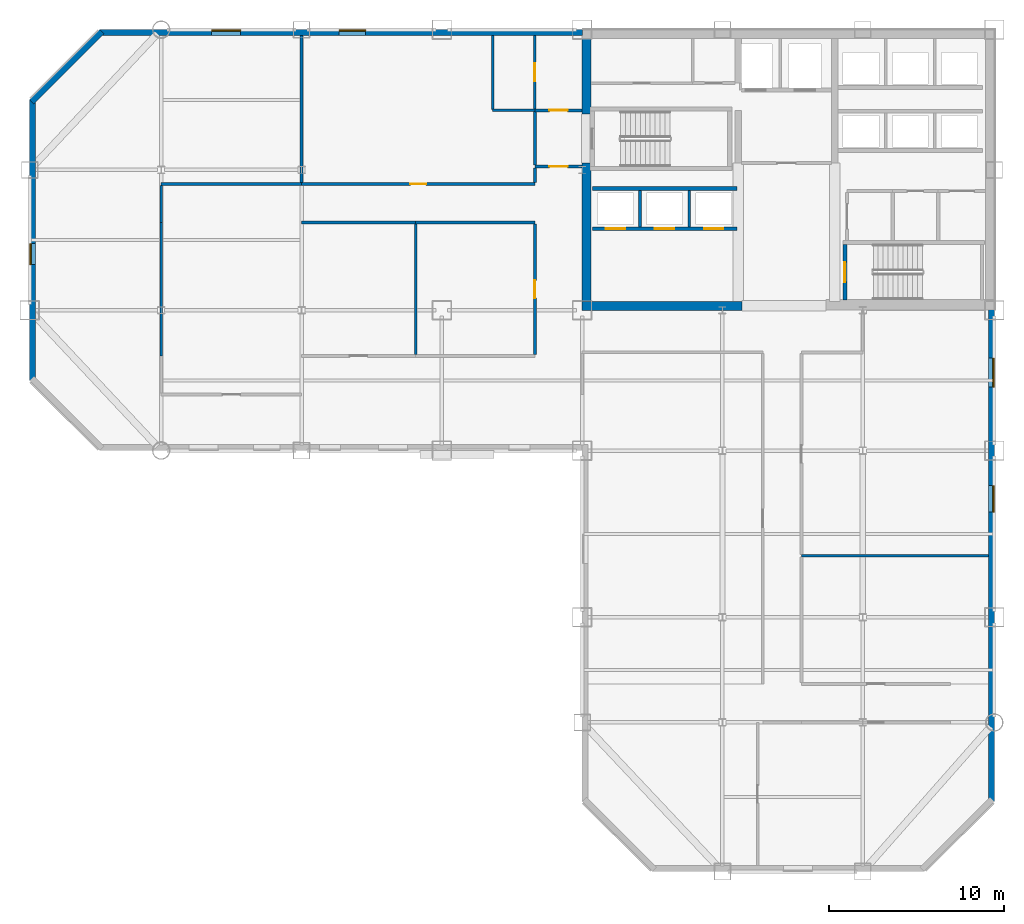
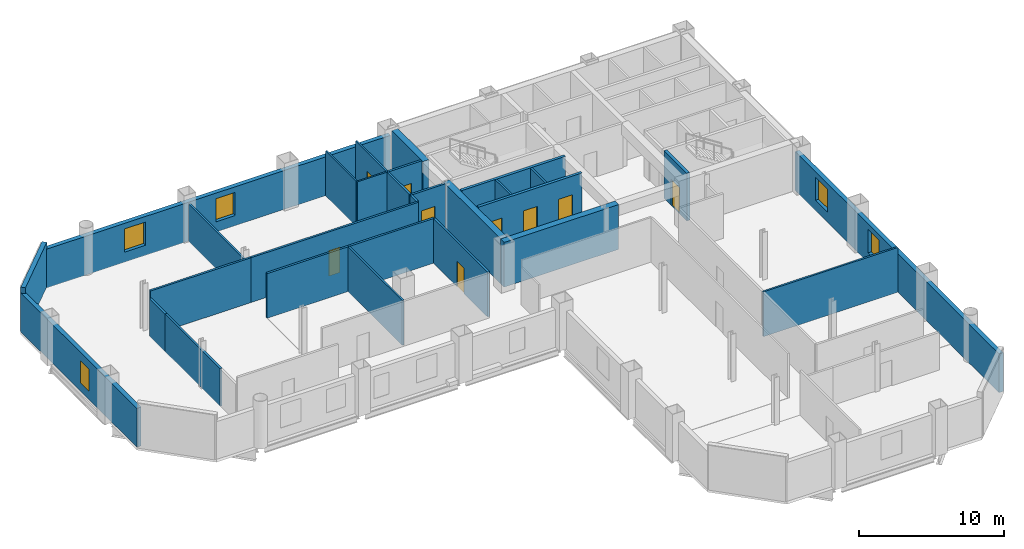
# One storey, part 6 of 9: 29 walls, 9 doors, 5 windows, 14 openings.
"""IFC4 building model written with IfcOpenShell, lengths in metres."""

from ifc_helpers import new_model, si_unit, direction, frame, frame_2d, origin, place, context, subcontext, project, spatial, rectangle, extrude, material, layer, layer_set, type_object, element, fill, save


model = new_model("IFC4")

# Units and contexts
model_context = context("Model", 3, precision=1e-05, world=origin(), true_north=direction((0.0, 1.0)))
body_context = subcontext(model_context, "Body", "Model", "MODEL_VIEW")
ifc_project = project(units=[si_unit("LENGTHUNIT", "METRE"), si_unit("AREAUNIT", "SQUARE_METRE"), si_unit("VOLUMEUNIT", "CUBIC_METRE"), si_unit("PLANEANGLEUNIT", "RADIAN"), si_unit("MASSUNIT", "GRAM", prefix="KILO")], contexts=[model_context])

# Site, building, storey
site_placement = place(None, origin())
site = spatial("IfcSite", under=ifc_project, at=site_placement, CompositionType="ELEMENT")
building_placement = place(site_placement, origin())
building = spatial("IfcBuilding", under=site, at=building_placement, Name="Qianrong Seaharbour Tower", CompositionType="ELEMENT")
storey_placement = place(building_placement, frame((0.0, 0.0, 143.0)))
storey = spatial("IfcBuildingStorey", under=building, at=storey_placement, Name="L34", CompositionType="ELEMENT", Elevation=143.0)

# Walls
ifc_material_1 = material(Name="Concrete C60/75", Category="concrete")
ifc_layer_1 = layer(ifc_material_1, 0.5)
ifc_layer_set_1 = layer_set([ifc_layer_1], Name="Concrete C60/75")
wall_type_1 = type_object("IfcWallType", Name="WALL-CORE-500", PredefinedType="SHEAR", material=ifc_layer_set_1)
wall_1_placement = place(storey_placement, frame((40.75, 36.5, 0.0), z_axis=(0.0, 0.0, 1.0), x_axis=(0.0, 1.0, 0.0)))
element("IfcWall", 1, at=wall_1_placement, inside=storey, type_object=wall_type_1, Name="L34 West Core Shear Wall South", PredefinedType="SHEAR", context=body_context, shape_type="SweptSolid", body=[
    extrude(rectangle(XDim=7.89990234375, YDim=0.5, at=frame_2d((3.949951171875, 0.0))), origin(), (0.0, 0.0, 1.0), 3.764892578125),
])
wall_2_placement = place(storey_placement, frame((40.75, 47.199951171875, 0.0), z_axis=(0.0, 0.0, 1.0), x_axis=(0.0, 1.0, 0.0)))
element("IfcWall", 2, at=wall_2_placement, inside=storey, type_object=wall_type_1, Name="L34 West Core Shear Wall North", PredefinedType="SHEAR", context=body_context, shape_type="SweptSolid", body=[
    extrude(rectangle(XDim=4.300048828125, YDim=0.5, at=frame_2d((2.14990234375, 0.0))), origin(), (0.0, 0.0, 1.0), 3.764892578125),
])
wall_3_placement = place(storey_placement, frame((40.5, 36.25, 0.0), z_axis=(0.0, 0.0, 1.0), x_axis=(1.0, 0.0, 0.0)))
element("IfcWall", 3, at=wall_3_placement, inside=storey, type_object=wall_type_1, Name="L34 South Core Shear Wall S1", PredefinedType="SHEAR", context=body_context, shape_type="SweptSolid", body=[
    extrude(rectangle(XDim=9.10009765625, YDim=0.5, at=frame_2d((4.550048828125, 0.0))), origin(), (0.0, 0.0, 1.0), 3.764892578125),
])

# Wall, opening, door
ifc_material_2 = material(Name="Fire-rated acoustic gypsum board partition")
ifc_layer_2 = layer(ifc_material_2, 0.1650390625)
ifc_layer_set_2 = layer_set([ifc_layer_2], Name="Fire-rated acoustic gypsum board partition")
wall_type_2 = type_object("IfcWallType", Name="WALL-CORR-PART-165", PredefinedType="PARTITIONING", material=ifc_layer_set_2)
wall_4_placement = place(storey_placement, frame((37.800048828125, 47.39990234375, 0.0), z_axis=(0.0, 0.0, 1.0), x_axis=(1.0, 0.0, 0.0)))
wall_4 = element("IfcWall", 4, at=wall_4_placement, inside=storey, type_object=wall_type_2, Name="L34 Interior Partition Wall 001", PredefinedType="PARTITIONING", context=body_context, shape_type="SweptSolid", body=[
    extrude(rectangle(XDim=2.699951171875, YDim=0.1650390625, at=frame_2d((1.35009765625, 0.0))), origin(), (0.0, 0.0, 1.0), 3.764892578125),
])
opening_1_placement = place(wall_4_placement, frame((0.824951171875, 0.0, 0.0)))
opening_1 = element("IfcOpeningElement", 5, at=opening_1_placement, cuts=wall_4, Name="Opening DC-01", PredefinedType="OPENING", context=body_context, shape_type="SweptSolid", body=[
    extrude(rectangle(XDim=1.050048828125, YDim=2.14990234375, at=frame_2d((0.52490234375, 1.074951171875))), frame((0.0, 0.092529296875, 0.0), z_axis=(0.0, -1.0, 0.0), x_axis=(1.0, 0.0, 0.0)), (0.0, 0.0, 1.0), 0.18505859375),
])
ifc_material_3 = material(Name="Acoustic timber and galvanized steel fire door assembly", Category="steel")
door_type_1 = type_object("IfcDoorType", Name="DOOR-CORR-FD60-1050x2150", OperationType="NOTDEFINED", PredefinedType="DOOR", material=ifc_material_3)
door_1_placement = place(opening_1_placement, origin())
door_1 = element("IfcDoor", 6, at=door_1_placement, inside=storey, type_object=door_type_1, Name="L34 Smokeproof Stair Vestibule ST-1 Door", OperationType="SINGLE_SWING_LEFT", OverallHeight=2.14990234375, OverallWidth=1.050048828125, PredefinedType="DOOR", context=body_context, shape_type="SweptSolid", body=[
    extrude(rectangle(XDim=1.050048828125, YDim=2.14990234375, at=frame_2d((0.52490234375, 1.074951171875))), frame((0.0, 0.02490234375, 0.0), z_axis=(0.0, -1.0, 0.0), x_axis=(1.0, 0.0, 0.0)), (0.0, 0.0, 1.0), 0.050048828125),
])
fill(opening_1, door_1)

wall_5_placement = place(storey_placement, frame((40.5, 44.199951171875, 0.0), z_axis=(0.0, 0.0, 1.0), x_axis=(-1.0, 0.0, 0.0)))
wall_5 = element("IfcWall", 7, at=wall_5_placement, inside=storey, type_object=wall_type_2, Name="L34 Interior Partition Wall 002", PredefinedType="PARTITIONING", context=body_context, shape_type="SweptSolid", body=[
    extrude(rectangle(XDim=2.699951171875, YDim=0.1650390625, at=frame_2d((1.35009765625, 0.0))), origin(), (0.0, 0.0, 1.0), 3.764892578125),
])
opening_2_placement = place(wall_5_placement, frame((0.824951171875, 0.0, 0.0)))
opening_2 = element("IfcOpeningElement", 8, at=opening_2_placement, cuts=wall_5, Name="Opening DC-01", PredefinedType="OPENING", context=body_context, shape_type="SweptSolid", body=[
    extrude(rectangle(XDim=1.050048828125, YDim=2.14990234375, at=frame_2d((0.52490234375, 1.074951171875))), frame((0.0, 0.092529296875, 0.0), z_axis=(0.0, -1.0, 0.0), x_axis=(1.0, 0.0, 0.0)), (0.0, 0.0, 1.0), 0.18505859375),
])
door_2_placement = place(opening_2_placement, origin())
door_2 = element("IfcDoor", 9, at=door_2_placement, inside=storey, type_object=door_type_1, Name="L34 Smokeproof Stair Vestibule ST-1 Door", OperationType="SINGLE_SWING_RIGHT", OverallHeight=2.14990234375, OverallWidth=1.050048828125, PredefinedType="DOOR", context=body_context, shape_type="SweptSolid", body=[
    extrude(rectangle(XDim=1.050048828125, YDim=2.14990234375, at=frame_2d((0.52490234375, 1.074951171875))), frame((0.0, 0.02490234375, 0.0), z_axis=(0.0, -1.0, 0.0), x_axis=(1.0, 0.0, 0.0)), (0.0, 0.0, 1.0), 0.050048828125),
])
fill(opening_2, door_2)

# Walls
wall_6_placement = place(storey_placement, frame((37.800048828125, 44.2744140625, 0.0), z_axis=(0.0, 0.0, 1.0), x_axis=(0.0, 1.0, 0.0)))
element("IfcWall", 10, at=wall_6_placement, inside=storey, type_object=wall_type_2, Name="L34 Interior Partition Wall 003", PredefinedType="PARTITIONING", context=body_context, shape_type="SweptSolid", body=[
    extrude(rectangle(XDim=3.051025390625, YDim=0.1650390625, at=frame_2d((1.525390625, 0.0))), origin(), (0.0, 0.0, 1.0), 3.764892578125),
])
wall_7_placement = place(storey_placement, frame((16.5, 41.0, 0.0), z_axis=(0.0, 0.0, 1.0), x_axis=(0.0, 1.0, 0.0)))
element("IfcWall", 11, at=wall_7_placement, inside=storey, type_object=wall_type_2, Name="L34 Interior Partition Wall 021", PredefinedType="PARTITIONING", context=body_context, shape_type="SweptSolid", body=[
    extrude(rectangle(XDim=2.12548828125, YDim=0.1650390625, at=frame_2d((1.062744140625, 0.0))), origin(), (0.0, 0.0, 1.0), 3.156982421875),
])
wall_8_placement = place(storey_placement, frame((16.5, 43.199951171875, 0.0), z_axis=(0.0, 0.0, 1.0), x_axis=(1.0, 0.0, 0.0)))
element("IfcWall", 12, at=wall_8_placement, inside=storey, type_object=wall_type_2, Name="L34 Interior Partition Wall 022", PredefinedType="PARTITIONING", context=body_context, shape_type="SweptSolid", body=[
    extrude(rectangle(XDim=8.0, YDim=0.1650390625, at=frame_2d((4.0, 0.0))), origin(), (0.0, 0.0, 1.0), 3.764892578125),
])

# Wall, opening, door
wall_9_placement = place(storey_placement, frame((24.5, 43.199951171875, 0.0), z_axis=(0.0, 0.0, 1.0), x_axis=(1.0, 0.0, 0.0)))
wall_9 = element("IfcWall", 13, at=wall_9_placement, inside=storey, type_object=wall_type_2, Name="L34 Interior Partition Wall 023", PredefinedType="PARTITIONING", context=body_context, shape_type="SweptSolid", body=[
    extrude(rectangle(XDim=13.300048828125, YDim=0.1650390625, at=frame_2d((6.64990234375, 0.0))), origin(), (0.0, 0.0, 1.0), 3.764892578125),
])
opening_3_placement = place(wall_9_placement, frame((6.199951171875, 0.0, 0.0)))
opening_3 = element("IfcOpeningElement", 14, at=opening_3_placement, cuts=wall_9, Name="Opening DS-01", PredefinedType="OPENING", context=body_context, shape_type="SweptSolid", body=[
    extrude(rectangle(XDim=0.89990234375, YDim=2.14990234375, at=frame_2d((0.449951171875, 1.074951171875))), frame((0.0, 0.092529296875, 0.0), z_axis=(0.0, -1.0, 0.0), x_axis=(1.0, 0.0, 0.0)), (0.0, 0.0, 1.0), 0.18505859375),
])
door_type_2 = type_object("IfcDoorType", Name="DOOR-STORE-900x2150", OperationType="NOTDEFINED", PredefinedType="DOOR", material=ifc_material_3)
door_3_placement = place(opening_3_placement, origin())
door_3 = element("IfcDoor", 15, at=door_3_placement, inside=storey, type_object=door_type_2, Name="L34 Corporate Archive Room Door", OperationType="SINGLE_SWING_LEFT", OverallHeight=2.14990234375, OverallWidth=0.89990234375, PredefinedType="DOOR", context=body_context, shape_type="SweptSolid", body=[
    extrude(rectangle(XDim=0.89990234375, YDim=2.14990234375, at=frame_2d((0.449951171875, 1.074951171875))), frame((0.0, 0.02490234375, 0.0), z_axis=(0.0, -1.0, 0.0), x_axis=(1.0, 0.0, 0.0)), (0.0, 0.0, 1.0), 0.050048828125),
])
fill(opening_3, door_3)

# Walls
wall_10_placement = place(storey_placement, frame((31.0, 41.0, 0.0), z_axis=(0.0, 0.0, 1.0), x_axis=(-1.0, 0.0, 0.0)))
element("IfcWall", 16, at=wall_10_placement, inside=storey, type_object=wall_type_2, Name="L34 Interior Partition Wall 024", PredefinedType="PARTITIONING", context=body_context, shape_type="SweptSolid", body=[
    extrude(rectangle(XDim=6.5, YDim=0.1650390625, at=frame_2d((3.25, 0.0))), origin(), (0.0, 0.0, 1.0), 3.764892578125),
])
wall_11_placement = place(storey_placement, frame((37.800048828125, 41.0, 0.0), z_axis=(0.0, 0.0, 1.0), x_axis=(-1.0, 0.0, 0.0)))
element("IfcWall", 17, at=wall_11_placement, inside=storey, type_object=wall_type_2, Name="L34 Interior Partition Wall 025", PredefinedType="PARTITIONING", context=body_context, shape_type="SweptSolid", body=[
    extrude(rectangle(XDim=6.800048828125, YDim=0.1650390625, at=frame_2d((3.39990234375, 0.0))), origin(), (0.0, 0.0, 1.0), 3.764892578125),
])
wall_12_placement = place(storey_placement, frame((16.5, 33.39990234375, 0.0), z_axis=(0.0, 0.0, 1.0), x_axis=(0.0, 1.0, 0.0)))
element("IfcWall", 18, at=wall_12_placement, inside=storey, type_object=wall_type_2, Name="L34 Interior Partition Wall 026", PredefinedType="PARTITIONING", context=body_context, shape_type="SweptSolid", body=[
    extrude(rectangle(XDim=7.60009765625, YDim=0.1650390625, at=frame_2d((3.800048828125, 0.0))), origin(), (0.0, 0.0, 1.0), 3.156982421875),
])
wall_13_placement = place(storey_placement, frame((37.800048828125, 43.2744140625, 0.0), z_axis=(0.0, 0.0, 1.0), x_axis=(0.0, 1.0, 0.0)))
element("IfcWall", 19, at=wall_13_placement, inside=storey, type_object=wall_type_2, Name="L34 Interior Partition Wall 027", PredefinedType="PARTITIONING", context=body_context, shape_type="SweptSolid", body=[
    extrude(rectangle(XDim=0.85107421875, YDim=0.1650390625, at=frame_2d((0.425537109375, 0.0))), origin(), (0.0, 0.0, 1.0), 3.764892578125),
])

# Wall, opening, door
wall_14_placement = place(storey_placement, frame((37.800048828125, 33.474609375, 0.0), z_axis=(0.0, 0.0, 1.0), x_axis=(0.0, 1.0, 0.0)))
wall_14 = element("IfcWall", 20, at=wall_14_placement, inside=storey, type_object=wall_type_2, Name="L34 Interior Partition Wall 028", PredefinedType="PARTITIONING", context=body_context, shape_type="SweptSolid", body=[
    extrude(rectangle(XDim=7.450927734375, YDim=0.1650390625, at=frame_2d((3.7255859375, 0.0))), origin(), (0.0, 0.0, 1.0), 3.764892578125),
])
opening_4_placement = place(wall_14_placement, frame((3.2255859375, 0.0, 0.0)))
opening_4 = element("IfcOpeningElement", 21, at=opening_4_placement, cuts=wall_14, Name="Opening DO-01", PredefinedType="OPENING", context=body_context, shape_type="SweptSolid", body=[
    extrude(rectangle(XDim=1.0, YDim=2.14990234375, at=frame_2d((0.5, 1.074951171875))), frame((0.0, 0.092529296875, 0.0), z_axis=(0.0, -1.0, 0.0), x_axis=(1.0, 0.0, 0.0)), (0.0, 0.0, 1.0), 0.18505859375),
])
door_type_3 = type_object("IfcDoorType", Name="DOOR-OFFICE-1000x2150", OperationType="NOTDEFINED", PredefinedType="DOOR", material=ifc_material_3)
door_4_placement = place(opening_4_placement, origin())
door_4 = element("IfcDoor", 22, at=door_4_placement, inside=storey, type_object=door_type_3, Name="L34 Digital Media Hall 2 Door", OperationType="SINGLE_SWING_LEFT", OverallHeight=2.14990234375, OverallWidth=1.0, PredefinedType="DOOR", context=body_context, shape_type="SweptSolid", body=[
    extrude(rectangle(XDim=1.0, YDim=2.14990234375, at=frame_2d((0.5, 1.074951171875))), frame((0.0, 0.02490234375, 0.0), z_axis=(0.0, -1.0, 0.0), x_axis=(1.0, 0.0, 0.0)), (0.0, 0.0, 1.0), 0.050048828125),
])
fill(opening_4, door_4)

# Wall, opening, window
ifc_material_4 = material(Name="Unitised buff brick on Precast concrete C45/55", Category="masonry")
ifc_layer_3 = layer(ifc_material_4, 0.340087890625)
ifc_layer_set_3 = layer_set([ifc_layer_3], Name="Unitised buff brick on Precast concrete C45/55")
wall_type_3 = type_object("IfcWallType", Name="WALL-EXT-BRICK-BUFF-340", PredefinedType="SOLIDWALL", material=ifc_layer_set_3)
wall_15_placement = place(storey_placement, frame((9.169921875, 32.0, 0.0), z_axis=(0.0, 0.0, 1.0), x_axis=(0.0, 1.0, 0.0)))
wall_15 = element("IfcWall", 23, at=wall_15_placement, inside=storey, type_object=wall_type_3, Name="L34 Exterior Masonry Facade Wall WEST_TIP", PredefinedType="SOLIDWALL", context=body_context, shape_type="SweptSolid", body=[
    extrude(rectangle(XDim=16.0, YDim=0.340087890625, at=frame_2d((8.0, 0.0))), origin(), (0.0, 0.0, 1.0), 3.264892578125),
])
opening_5_placement = place(wall_15_placement, frame((6.60009765625, 0.0, 0.699951171875)))
opening_5 = element("IfcOpeningElement", 24, at=opening_5_placement, cuts=wall_15, Name="Opening WN-01", PredefinedType="OPENING", context=body_context, shape_type="SweptSolid", body=[
    extrude(rectangle(XDim=1.199951171875, YDim=1.85009765625, at=frame_2d((0.60009765625, 0.925048828125))), frame((0.0, 0.18017578125, 0.0), z_axis=(0.0, -1.0, 0.0), x_axis=(1.0, 0.0, 0.0)), (0.0, 0.0, 1.0), 0.360107421875),
])
ifc_material_5 = material(Name="Insulated low-e double glazing in thermally broken aluminium 6063-T6 frame", Category="aluminium")
window_type_1 = type_object("IfcWindowType", Name="WIN-PUNCH-1200x1850", PartitioningType="DOUBLE_PANEL_VERTICAL", PredefinedType="WINDOW", material=ifc_material_5)
window_1_placement = place(opening_5_placement, origin())
window_1 = element("IfcWindow", 25, at=window_1_placement, inside=storey, type_object=window_type_1, Name="L34 Deep-Set Punched Window 03.02", OverallHeight=1.85009765625, OverallWidth=1.199951171875, PartitioningType="DOUBLE_PANEL_VERTICAL", PredefinedType="WINDOW", context=body_context, shape_type="SweptSolid", body=[
    extrude(rectangle(XDim=1.199951171875, YDim=1.85009765625, at=frame_2d((0.60009765625, 0.925048828125))), frame((0.0, 0.150146484375, 0.0), z_axis=(0.0, -1.0, 0.0), x_axis=(1.0, 0.0, 0.0)), (0.0, 0.0, 1.0), 0.06005859375),
])
fill(opening_5, window_1)

# Wall
wall_16_placement = place(storey_placement, frame((9.1201171875, 47.8798828125, 0.0), z_axis=(0.0, 0.0, 1.0), x_axis=(0.707106781187, 0.707106781187, 0.0)))
element("IfcWall", 26, at=wall_16_placement, inside=storey, type_object=wall_type_3, Name="L34 Exterior Masonry Facade Wall E04", PredefinedType="SOLIDWALL", context=body_context, shape_type="SweptSolid", body=[
    extrude(rectangle(XDim=5.65673828125, YDim=0.340087890625, at=frame_2d((2.828369140625, 0.0))), origin(), (0.0, 0.0, 1.0), 3.764892578125),
])

# Wall, openings, windows
wall_17_placement = place(storey_placement, frame((13.0, 51.830078125, 0.0), z_axis=(0.0, 0.0, 1.0), x_axis=(1.0, 0.0, 0.0)))
wall_17 = element("IfcWall", 27, at=wall_17_placement, inside=storey, type_object=wall_type_3, Name="L34 Exterior Masonry Facade Wall NORTH_WING", PredefinedType="SOLIDWALL", context=body_context, shape_type="SweptSolid", body=[
    extrude(rectangle(XDim=27.52001953125, YDim=0.340087890625, at=frame_2d((13.760009765625, 0.0))), origin(), (0.0, 0.0, 1.0), 3.264892578125),
])
opening_6_placement = place(wall_17_placement, frame((6.375, 0.0, 0.85009765625)))
opening_6 = element("IfcOpeningElement", 28, at=opening_6_placement, cuts=wall_17, Name="Opening WN-04", PredefinedType="OPENING", context=body_context, shape_type="SweptSolid", body=[
    extrude(rectangle(XDim=1.64990234375, YDim=1.949951171875, at=frame_2d((0.824951171875, 0.97509765625))), frame((0.0, 0.18017578125, 0.0), z_axis=(0.0, -1.0, 0.0), x_axis=(1.0, 0.0, 0.0)), (0.0, 0.0, 1.0), 0.360107421875),
])
opening_7_placement = place(wall_17_placement, frame((13.64990234375, 0.0, 0.85009765625)))
opening_7 = element("IfcOpeningElement", 29, at=opening_7_placement, cuts=wall_17, Name="Opening WN-03", PredefinedType="OPENING", context=body_context, shape_type="SweptSolid", body=[
    extrude(rectangle(XDim=1.5, YDim=1.949951171875, at=frame_2d((0.75, 0.97509765625))), frame((0.0, 0.18017578125, 0.0), z_axis=(0.0, -1.0, 0.0), x_axis=(1.0, 0.0, 0.0)), (0.0, 0.0, 1.0), 0.360107421875),
])
window_type_2 = type_object("IfcWindowType", Name="WIN-PUNCH-1500x1950", PartitioningType="DOUBLE_PANEL_VERTICAL", PredefinedType="WINDOW", material=ifc_material_5)
window_2_placement = place(opening_7_placement, origin())
window_2 = element("IfcWindow", 30, at=window_2_placement, inside=storey, type_object=window_type_2, Name="L34 Deep-Set Punched Window 05.04", OverallHeight=1.949951171875, OverallWidth=1.5, PartitioningType="DOUBLE_PANEL_VERTICAL", PredefinedType="WINDOW", context=body_context, shape_type="SweptSolid", body=[
    extrude(rectangle(XDim=1.5, YDim=1.949951171875, at=frame_2d((0.75, 0.97509765625))), frame((0.0, 0.150146484375, 0.0), z_axis=(0.0, -1.0, 0.0), x_axis=(1.0, 0.0, 0.0)), (0.0, 0.0, 1.0), 0.06005859375),
])
fill(opening_7, window_2)
window_type_3 = type_object("IfcWindowType", Name="WIN-PUNCH-1650x1950", PartitioningType="DOUBLE_PANEL_VERTICAL", PredefinedType="WINDOW", material=ifc_material_5)
window_3_placement = place(opening_6_placement, origin())
window_3 = element("IfcWindow", 31, at=window_3_placement, inside=storey, type_object=window_type_3, Name="L34 Deep-Set Punched Window 05.02", OverallHeight=1.949951171875, OverallWidth=1.64990234375, PartitioningType="DOUBLE_PANEL_VERTICAL", PredefinedType="WINDOW", context=body_context, shape_type="SweptSolid", body=[
    extrude(rectangle(XDim=1.64990234375, YDim=1.949951171875, at=frame_2d((0.824951171875, 0.97509765625))), frame((0.0, 0.150146484375, 0.0), z_axis=(0.0, -1.0, 0.0), x_axis=(1.0, 0.0, 0.0)), (0.0, 0.0, 1.0), 0.06005859375),
])
fill(opening_6, window_3)

wall_18_placement = place(storey_placement, frame((63.830078125, 36.050048828125, 0.0), z_axis=(0.0, 0.0, 1.0), x_axis=(0.0, -1.0, 0.0)))
wall_18 = element("IfcWall", 32, at=wall_18_placement, inside=storey, type_object=wall_type_3, Name="L34 Exterior Masonry Facade Wall EAST_WING", PredefinedType="SOLIDWALL", context=body_context, shape_type="SweptSolid", body=[
    extrude(rectangle(XDim=28.050048828125, YDim=0.340087890625, at=frame_2d((14.02490234375, 0.0))), origin(), (0.0, 0.0, 1.0), 3.264892578125),
])
opening_8_placement = place(wall_18_placement, frame((2.77490234375, 0.0, 0.85009765625)))
opening_8 = element("IfcOpeningElement", 33, at=opening_8_placement, cuts=wall_18, Name="Opening WN-04", PredefinedType="OPENING", context=body_context, shape_type="SweptSolid", body=[
    extrude(rectangle(XDim=1.64990234375, YDim=1.949951171875, at=frame_2d((0.824951171875, 0.97509765625))), frame((0.0, 0.18017578125, 0.0), z_axis=(0.0, -1.0, 0.0), x_axis=(1.0, 0.0, 0.0)), (0.0, 0.0, 1.0), 0.360107421875),
])
opening_9_placement = place(wall_18_placement, frame((10.050048828125, 0.0, 0.85009765625)))
opening_9 = element("IfcOpeningElement", 34, at=opening_9_placement, cuts=wall_18, Name="Opening WN-03", PredefinedType="OPENING", context=body_context, shape_type="SweptSolid", body=[
    extrude(rectangle(XDim=1.5, YDim=1.949951171875, at=frame_2d((0.75, 0.97509765625))), frame((0.0, 0.18017578125, 0.0), z_axis=(0.0, -1.0, 0.0), x_axis=(1.0, 0.0, 0.0)), (0.0, 0.0, 1.0), 0.360107421875),
])
window_4_placement = place(opening_9_placement, origin())
window_4 = element("IfcWindow", 35, at=window_4_placement, inside=storey, type_object=window_type_2, Name="L34 Deep-Set Punched Window 06.03", OverallHeight=1.949951171875, OverallWidth=1.5, PartitioningType="DOUBLE_PANEL_VERTICAL", PredefinedType="WINDOW", context=body_context, shape_type="SweptSolid", body=[
    extrude(rectangle(XDim=1.5, YDim=1.949951171875, at=frame_2d((0.75, 0.97509765625))), frame((0.0, 0.150146484375, 0.0), z_axis=(0.0, -1.0, 0.0), x_axis=(1.0, 0.0, 0.0)), (0.0, 0.0, 1.0), 0.06005859375),
])
fill(opening_9, window_4)
window_5_placement = place(opening_8_placement, origin())
window_5 = element("IfcWindow", 36, at=window_5_placement, inside=storey, type_object=window_type_3, Name="L34 Deep-Set Punched Window 06.01", OverallHeight=1.949951171875, OverallWidth=1.64990234375, PartitioningType="DOUBLE_PANEL_VERTICAL", PredefinedType="WINDOW", context=body_context, shape_type="SweptSolid", body=[
    extrude(rectangle(XDim=1.64990234375, YDim=1.949951171875, at=frame_2d((0.824951171875, 0.97509765625))), frame((0.0, 0.150146484375, 0.0), z_axis=(0.0, -1.0, 0.0), x_axis=(1.0, 0.0, 0.0)), (0.0, 0.0, 1.0), 0.06005859375),
])
fill(opening_8, window_5)

# Walls
ifc_material_6 = material(Name="Acoustic gypsum board stud partition")
ifc_layer_4 = layer(ifc_material_6, 0.14501953125)
ifc_layer_set_4 = layer_set([ifc_layer_4], Name="Acoustic gypsum board stud partition")
wall_type_4 = type_object("IfcWallType", Name="WALL-OFFICE-PART-145", PredefinedType="PARTITIONING", material=ifc_layer_set_4)
wall_19_placement = place(storey_placement, frame((24.5, 51.66796875, 0.0), z_axis=(0.0, 0.0, 1.0), x_axis=(0.0, -1.0, 0.0)))
element("IfcWall", 37, at=wall_19_placement, inside=storey, type_object=wall_type_4, Name="L34 Interior Partition Wall 039", PredefinedType="PARTITIONING", context=body_context, shape_type="SweptSolid", body=[
    extrude(rectangle(XDim=8.3935546875, YDim=0.14501953125, at=frame_2d((4.19677734375, 0.0))), origin(), (0.0, 0.0, 1.0), 3.156982421875),
])
wall_20_placement = place(storey_placement, frame((31.0, 40.925537109375, 0.0), z_axis=(0.0, 0.0, 1.0), x_axis=(0.0, -1.0, 0.0)))
element("IfcWall", 38, at=wall_20_placement, inside=storey, type_object=wall_type_4, Name="L34 Interior Partition Wall 040", PredefinedType="PARTITIONING", context=body_context, shape_type="SweptSolid", body=[
    extrude(rectangle(XDim=7.450927734375, YDim=0.14501953125, at=frame_2d((3.7255859375, 0.0))), origin(), (0.0, 0.0, 1.0), 3.764892578125),
])
wall_21_placement = place(storey_placement, frame((63.66796875, 22.0, 0.0), z_axis=(0.0, 0.0, 1.0), x_axis=(-1.0, 0.0, 0.0)))
element("IfcWall", 39, at=wall_21_placement, inside=storey, type_object=wall_type_4, Name="L34 Interior Partition Wall 041", PredefinedType="PARTITIONING", context=body_context, shape_type="SweptSolid", body=[
    extrude(rectangle(XDim=10.66796875, YDim=0.14501953125, at=frame_2d((5.333984375, 0.0))), origin(), (0.0, 0.0, 1.0), 3.764892578125),
])
ifc_material_7 = material(Name="Fire-rated gypsum board on steel studs", Category="steel")
ifc_layer_5 = layer(ifc_material_7, 0.14990234375)
ifc_layer_set_5 = layer_set([ifc_layer_5], Name="Fire-rated gypsum board on steel studs")
wall_type_5 = type_object("IfcWallType", Name="WALL-SHAFT-DIV-150", PredefinedType="PARTITIONING", material=ifc_layer_set_5)
for number, where, z_axis, x_axis, name in (
    (40, (43.800048828125, 40.760009765625, 0.0), (0.0, 0.0, 1.0), (0.0, 1.0, 0.0), "L34 P2 Lift Hoistway Divider 2"),
    (41, (46.60009765625, 40.760009765625, 0.0), (0.0, 0.0, 1.0), (0.0, 1.0, 0.0), "L34 P2 Lift Hoistway Divider 3"),
):
    element("IfcWall", number, at=place(storey_placement, frame(where, z_axis=z_axis, x_axis=x_axis)), inside=storey, type_object=wall_type_5, Name=name, PredefinedType="PARTITIONING", context=body_context, shape_type="SweptSolid", body=[
        extrude(rectangle(XDim=2.080078125, YDim=0.14990234375, at=frame_2d((1.0400390625, 0.0))), origin(), (0.0, 0.0, 1.0), 3.764892578125),
    ])

# Wall, openings, doors
ifc_layer_6 = layer(ifc_material_7, 0.219970703125)
ifc_layer_set_6 = layer_set([ifc_layer_6], Name="Fire-rated gypsum board on steel studs")
wall_type_6 = type_object("IfcWallType", Name="WALL-SHAFT-GYP220", PredefinedType="PARTITIONING", material=ifc_layer_set_6)
wall_22_placement = place(storey_placement, frame((49.320068359375, 40.64990234375, 0.0), z_axis=(0.0, 0.0, 1.0), x_axis=(-1.0, 0.0, 0.0)))
wall_22 = element("IfcWall", 42, at=wall_22_placement, inside=storey, type_object=wall_type_6, Name="L34 P2 Lift Hoistway Front Wall", PredefinedType="PARTITIONING", context=body_context, shape_type="SweptSolid", body=[
    extrude(rectangle(XDim=8.239990234375, YDim=0.219970703125, at=frame_2d((4.1201171875, 0.0))), origin(), (0.0, 0.0, 1.0), 3.764892578125),
])
opening_10_placement = place(wall_22_placement, frame((6.3701171875, 0.0, 0.0)))
opening_10 = element("IfcOpeningElement", 43, at=opening_10_placement, cuts=wall_22, Name="Opening LD-02", PredefinedType="OPENING", context=body_context, shape_type="SweptSolid", body=[
    extrude(rectangle(XDim=1.10009765625, YDim=2.199951171875, at=frame_2d((0.550048828125, 1.10009765625))), frame((0.0, 0.1201171875, 0.0), z_axis=(0.0, -1.0, 0.0), x_axis=(1.0, 0.0, 0.0)), (0.0, 0.0, 1.0), 0.239990234375),
])
opening_11_placement = place(wall_22_placement, frame((3.570068359375, 0.0, 0.0)))
opening_11 = element("IfcOpeningElement", 44, at=opening_11_placement, cuts=wall_22, Name="Opening LD-02", PredefinedType="OPENING", context=body_context, shape_type="SweptSolid", body=[
    extrude(rectangle(XDim=1.10009765625, YDim=2.199951171875, at=frame_2d((0.550048828125, 1.10009765625))), frame((0.0, 0.1201171875, 0.0), z_axis=(0.0, -1.0, 0.0), x_axis=(1.0, 0.0, 0.0)), (0.0, 0.0, 1.0), 0.239990234375),
])
opening_12_placement = place(wall_22_placement, frame((0.77001953125, 0.0, 0.0)))
opening_12 = element("IfcOpeningElement", 45, at=opening_12_placement, cuts=wall_22, Name="Opening LD-02", PredefinedType="OPENING", context=body_context, shape_type="SweptSolid", body=[
    extrude(rectangle(XDim=1.10009765625, YDim=2.199951171875, at=frame_2d((0.550048828125, 1.10009765625))), frame((0.0, 0.1201171875, 0.0), z_axis=(0.0, -1.0, 0.0), x_axis=(1.0, 0.0, 0.0)), (0.0, 0.0, 1.0), 0.239990234375),
])
ifc_material_8 = material(Name="Stainless steel SUS316L bi-parting lift landing door", Category="steel")
door_type_4 = type_object("IfcDoorType", Name="DOOR-LIFT-PASS-1100x2200", OperationType="DOUBLE_DOOR_SLIDING", PredefinedType="DOOR", material=ifc_material_8)
door_5_placement = place(opening_10_placement, origin())
door_5 = element("IfcDoor", 46, at=door_5_placement, inside=storey, type_object=door_type_4, Name="L34 PL-2A Lift Landing Door", OperationType="DOUBLE_DOOR_SLIDING", OverallHeight=2.199951171875, OverallWidth=1.10009765625, PredefinedType="DOOR", context=body_context, shape_type="SweptSolid", body=[
    extrude(rectangle(XDim=1.10009765625, YDim=2.199951171875, at=frame_2d((0.550048828125, 1.10009765625))), frame((0.0, 0.02490234375, 0.0), z_axis=(0.0, -1.0, 0.0), x_axis=(1.0, 0.0, 0.0)), (0.0, 0.0, 1.0), 0.050048828125),
])
fill(opening_10, door_5)
door_6_placement = place(opening_11_placement, origin())
door_6 = element("IfcDoor", 47, at=door_6_placement, inside=storey, type_object=door_type_4, Name="L34 PL-2B Lift Landing Door", OperationType="DOUBLE_DOOR_SLIDING", OverallHeight=2.199951171875, OverallWidth=1.10009765625, PredefinedType="DOOR", context=body_context, shape_type="SweptSolid", body=[
    extrude(rectangle(XDim=1.10009765625, YDim=2.199951171875, at=frame_2d((0.550048828125, 1.10009765625))), frame((0.0, 0.02490234375, 0.0), z_axis=(0.0, -1.0, 0.0), x_axis=(1.0, 0.0, 0.0)), (0.0, 0.0, 1.0), 0.050048828125),
])
fill(opening_11, door_6)
door_7_placement = place(opening_12_placement, origin())
door_7 = element("IfcDoor", 48, at=door_7_placement, inside=storey, type_object=door_type_4, Name="L34 PL-2C Lift Landing Door", OperationType="DOUBLE_DOOR_SLIDING", OverallHeight=2.199951171875, OverallWidth=1.10009765625, PredefinedType="DOOR", context=body_context, shape_type="SweptSolid", body=[
    extrude(rectangle(XDim=1.10009765625, YDim=2.199951171875, at=frame_2d((0.550048828125, 1.10009765625))), frame((0.0, 0.02490234375, 0.0), z_axis=(0.0, -1.0, 0.0), x_axis=(1.0, 0.0, 0.0)), (0.0, 0.0, 1.0), 0.050048828125),
])
fill(opening_12, door_7)

# Wall
wall_23_placement = place(storey_placement, frame((41.080078125, 42.949951171875, 0.0), z_axis=(0.0, 0.0, 1.0), x_axis=(1.0, 0.0, 0.0)))
element("IfcWall", 49, at=wall_23_placement, inside=storey, type_object=wall_type_6, Name="L34 P2 Lift Hoistway Back Wall", PredefinedType="PARTITIONING", context=body_context, shape_type="SweptSolid", body=[
    extrude(rectangle(XDim=8.239990234375, YDim=0.219970703125, at=frame_2d((4.1201171875, 0.0))), origin(), (0.0, 0.0, 1.0), 3.764892578125),
])

# Wall, opening, door
ifc_material_9 = material(Name="Concrete C50/60", Category="concrete")
ifc_layer_7 = layer(ifc_material_9, 0.239990234375)
ifc_layer_set_7 = layer_set([ifc_layer_7], Name="Concrete C50/60")
wall_type_7 = type_object("IfcWallType", Name="WALL-SHAFT-RC240", PredefinedType="SOLIDWALL", material=ifc_layer_set_7)
wall_24_placement = place(storey_placement, frame((55.47998046875, 39.75, 0.0), z_axis=(0.0, 0.0, 1.0), x_axis=(0.0, -1.0, 0.0)))
wall_24 = element("IfcWall", 50, at=wall_24_placement, inside=storey, type_object=wall_type_7, Name="L34 ST-2 Structural Stair Core Wall W", PredefinedType="SOLIDWALL", context=body_context, shape_type="SweptSolid", body=[
    extrude(rectangle(XDim=3.14990234375, YDim=0.239990234375, at=frame_2d((1.574951171875, 0.0))), origin(), (0.0, 0.0, 1.0), 4.0),
])
opening_13_placement = place(wall_24_placement, frame((1.0, 0.0, 0.0)))
opening_13 = element("IfcOpeningElement", 51, at=opening_13_placement, cuts=wall_24, Name="Opening SD-01", PredefinedType="OPENING", context=body_context, shape_type="SweptSolid", body=[
    extrude(rectangle(XDim=1.14990234375, YDim=2.199951171875, at=frame_2d((0.574951171875, 1.10009765625))), frame((0.0, 0.1298828125, 0.0), z_axis=(0.0, -1.0, 0.0), x_axis=(1.0, 0.0, 0.0)), (0.0, 0.0, 1.0), 0.260009765625),
])
door_type_5 = type_object("IfcDoorType", Name="DOOR-STAIR-FD60-1150x2200", OperationType="NOTDEFINED", PredefinedType="DOOR", material=ifc_material_3)
door_8_placement = place(opening_13_placement, origin())
door_8 = element("IfcDoor", 52, at=door_8_placement, inside=storey, type_object=door_type_5, Name="L34 ST-2 Protected Stair Door", OperationType="SINGLE_SWING_LEFT", OverallHeight=2.199951171875, OverallWidth=1.14990234375, PredefinedType="DOOR", context=body_context, shape_type="SweptSolid", body=[
    extrude(rectangle(XDim=1.14990234375, YDim=2.199951171875, at=frame_2d((0.574951171875, 1.10009765625))), frame((0.0, 0.02490234375, 0.0), z_axis=(0.0, -1.0, 0.0), x_axis=(1.0, 0.0, 0.0)), (0.0, 0.0, 1.0), 0.050048828125),
])
fill(opening_13, door_8)

ifc_material_10 = material(Name="Water-resistant cement board sanitary partition")
ifc_layer_8 = layer(ifc_material_10, 0.1298828125)
ifc_layer_set_8 = layer_set([ifc_layer_8], Name="Water-resistant cement board sanitary partition")
wall_type_8 = type_object("IfcWallType", Name="WALL-WET-PART-130", PredefinedType="PARTITIONING", material=ifc_layer_set_8)
wall_25_placement = place(storey_placement, frame((37.800048828125, 47.474609375, 0.0), z_axis=(0.0, 0.0, 1.0), x_axis=(0.0, 1.0, 0.0)))
wall_25 = element("IfcWall", 53, at=wall_25_placement, inside=storey, type_object=wall_type_8, Name="L34 Interior Partition Wall 004", PredefinedType="PARTITIONING", context=body_context, shape_type="SweptSolid", body=[
    extrude(rectangle(XDim=4.193359375, YDim=0.1298828125, at=frame_2d((2.0966796875, 0.0))), origin(), (0.0, 0.0, 1.0), 3.764892578125),
])
opening_14_placement = place(wall_25_placement, frame((1.5869140625, 0.0, 0.0)))
opening_14 = element("IfcOpeningElement", 54, at=opening_14_placement, cuts=wall_25, Name="Opening DAW-01", PredefinedType="OPENING", context=body_context, shape_type="SweptSolid", body=[
    extrude(rectangle(XDim=1.02001953125, YDim=2.14990234375, at=frame_2d((0.510009765625, 1.074951171875))), frame((0.0, 0.074951171875, 0.0), z_axis=(0.0, -1.0, 0.0), x_axis=(1.0, 0.0, 0.0)), (0.0, 0.0, 1.0), 0.14990234375),
])
door_type_6 = type_object("IfcDoorType", Name="DOOR-AWC-SLIDE-1020x2150", OperationType="SLIDING_TO_LEFT", PredefinedType="DOOR", material=ifc_material_3)
door_9_placement = place(opening_14_placement, origin())
door_9 = element("IfcDoor", 55, at=door_9_placement, inside=storey, type_object=door_type_6, Name="L34 Accessible Restroom WC Door", OperationType="SLIDING_TO_LEFT", OverallHeight=2.14990234375, OverallWidth=1.02001953125, PredefinedType="DOOR", context=body_context, shape_type="SweptSolid", body=[
    extrude(rectangle(XDim=1.02001953125, YDim=2.14990234375, at=frame_2d((0.510009765625, 1.074951171875))), frame((0.0, 0.02490234375, 0.0), z_axis=(0.0, -1.0, 0.0), x_axis=(1.0, 0.0, 0.0)), (0.0, 0.0, 1.0), 0.050048828125),
])
fill(opening_14, door_9)

# Walls
wall_26_placement = place(storey_placement, frame((37.800048828125, 47.39990234375, 0.0), z_axis=(0.0, 0.0, 1.0), x_axis=(-1.0, 0.0, 0.0)))
element("IfcWall", 56, at=wall_26_placement, inside=storey, type_object=wall_type_8, Name="L34 Interior Partition Wall 005", PredefinedType="PARTITIONING", context=body_context, shape_type="SweptSolid", body=[
    extrude(rectangle(XDim=2.400146484375, YDim=0.1298828125, at=frame_2d((1.2001953125, 0.0))), origin(), (0.0, 0.0, 1.0), 3.764892578125),
])
wall_27_placement = place(storey_placement, frame((35.39990234375, 47.45703125, 0.0), z_axis=(0.0, 0.0, 1.0), x_axis=(0.0, 1.0, 0.0)))
element("IfcWall", 57, at=wall_27_placement, inside=storey, type_object=wall_type_8, Name="L34 Interior Partition Wall 006", PredefinedType="PARTITIONING", context=body_context, shape_type="SweptSolid", body=[
    extrude(rectangle(XDim=4.2109375, YDim=0.1298828125, at=frame_2d((2.10546875, 0.0))), origin(), (0.0, 0.0, 1.0), 3.764892578125),
])

save(model, "model.ifc")
